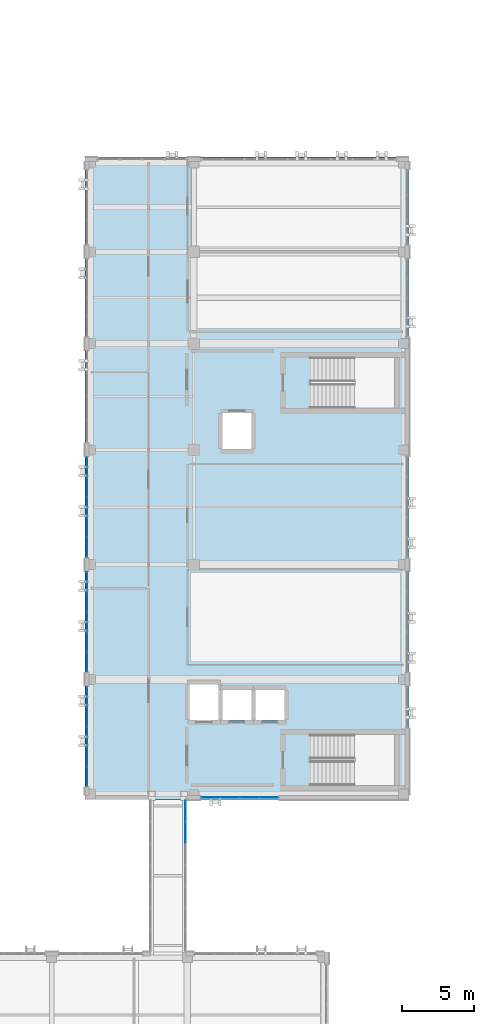
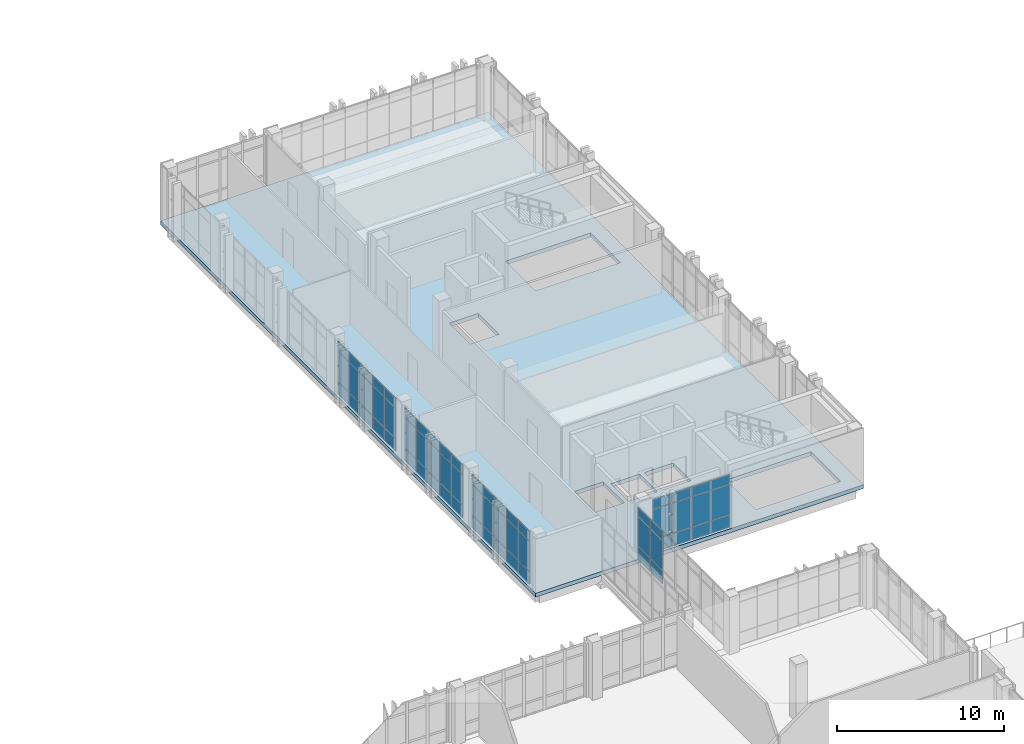
# One storey, part 121 of 165: 63 plates, 1 slab, 5 elements without a shape of their own.
"""IFC4 building model written with IfcOpenShell, lengths in metres."""

import ifcopenshell
import ifcopenshell.guid

model = None  # the IFC model being written
_history = None  # IfcOwnerHistory: only IFC2X3 demands one
_inside = {}  # id of a spatial element -> (the spatial element, [elements in it])
_under = {}  # id of a project, library or spatial element -> (it, [spatial elements below it])
_declared = {}  # id of a project -> (the project, [libraries it declares])
_typed = {}  # id of a type object -> (the type object, [elements of that type])
_made_of = {}  # id of a material, layer set ... -> (it, [elements and type objects made of it])


def new_model(schema):
    """Start an empty IFC model of exactly this schema.

    Asked for "IFC4X3", IfcOpenShell would pick the latest addendum, in which some entities
    have other attributes; the version numbers below select the first issue.
    IFC2X3 requires an IfcOwnerHistory on every rooted entity: one is made here for all.
    """
    global model, _history
    if schema == "IFC4X3":
        model = ifcopenshell.file(schema_version=(4, 3, 0, 0))
    else:
        model = ifcopenshell.file(schema=schema)
    _inside.clear()
    _under.clear()
    _declared.clear()
    _typed.clear()
    _made_of.clear()
    _history = None
    if model.schema == "IFC2X3":
        org = make("IfcOrganization", Name="unknown")
        user = make(
            "IfcPersonAndOrganization",
            ThePerson=make("IfcPerson", FamilyName="unknown"),
            TheOrganization=org,
        )
        app = make(
            "IfcApplication",
            ApplicationDeveloper=org,
            Version="unknown",
            ApplicationFullName="unknown",
            ApplicationIdentifier="unknown",
        )
        _history = make(
            "IfcOwnerHistory",
            OwningUser=user,
            OwningApplication=app,
            ChangeAction="ADDED",
            CreationDate=0,
        )
    return model


def make(cls, **values):
    """One entity of the class cls with the attributes given. An attribute that is None is left unset."""
    return model.create_entity(
        cls, **{name: value for name, value in values.items() if value is not None}
    )


def rooted(cls, **values):
    """An entity with a GlobalId (a new one), such as an element, a storey or a relation."""
    return make(cls, GlobalId=ifcopenshell.guid.new(), OwnerHistory=_history, **values)


def si_unit(unit_type, name, prefix=None):
    """IfcSIUnit, for example si_unit("LENGTHUNIT", "METRE", prefix="MILLI")."""
    return make("IfcSIUnit", UnitType=unit_type, Prefix=prefix, Name=name)


def assignment(units):
    """IfcUnitAssignment: the units of a project."""
    return None if units is None else make("IfcUnitAssignment", Units=units)


def point(xyz):
    """IfcCartesianPoint."""
    return None if xyz is None else make("IfcCartesianPoint", Coordinates=xyz)


def direction(xyz):
    """IfcDirection."""
    return None if xyz is None else make("IfcDirection", DirectionRatios=xyz)


def frame(location, z_axis=None, x_axis=None):
    """IfcAxis2Placement3D, a coordinate frame: its origin and axes. An axis left out is left unset."""
    return make(
        "IfcAxis2Placement3D",
        Location=point(location),
        Axis=direction(z_axis),
        RefDirection=direction(x_axis),
    )


def frame_2d(location, x_axis=None):
    """IfcAxis2Placement2D, a coordinate frame in the plane: its origin and x axis."""
    return make(
        "IfcAxis2Placement2D", Location=point(location), RefDirection=direction(x_axis)
    )


def origin():
    """The frame at (0, 0, 0) with its axes left unset."""
    return frame((0.0, 0.0, 0.0))


def origin_2d():
    """The frame at (0, 0) in the plane with its x axis left unset."""
    return frame_2d((0.0, 0.0))


def place(relative_to, where):
    """IfcLocalPlacement: puts the frame where relative to a parent placement (None: the world)."""
    return make(
        "IfcLocalPlacement", PlacementRelTo=relative_to, RelativePlacement=where
    )


def context(
    kind, dimensions, precision=None, world=None, true_north=None, identifier=None
):
    """IfcGeometricRepresentationContext, for example the 3D "Model" context."""
    return make(
        "IfcGeometricRepresentationContext",
        ContextIdentifier=identifier,
        ContextType=kind,
        CoordinateSpaceDimension=dimensions,
        Precision=precision,
        WorldCoordinateSystem=world,
        TrueNorth=true_north,
    )


def subcontext(parent, identifier, kind, view, scale=None):
    """IfcGeometricRepresentationSubContext, for example "Body" below "Model"."""
    return make(
        "IfcGeometricRepresentationSubContext",
        ContextIdentifier=identifier,
        ContextType=kind,
        ParentContext=parent,
        TargetScale=scale,
        TargetView=view,
    )


def project(units=None, contexts=None):
    """IfcProject with its units and contexts."""
    return rooted(
        "IfcProject",
        Name="project",
        RepresentationContexts=contexts,
        UnitsInContext=assignment(units),
    )


def spatial(cls, under=None, at=None, **own):
    """A site, building, storey or space (cls), placed at a placement, below another one or the project."""
    s = rooted(cls, ObjectPlacement=at, **own)
    if under is not None:
        _under.setdefault(under.id(), (under, []))[1].append(s)
    return s


def polyline(points):
    """IfcPolyline through the points."""
    return make("IfcPolyline", Points=[point(p) for p in points])


def profile(cls, at=None, kind="AREA", **sizes):
    """A parametric profile (cls). Its sizes go by their IFC names, for example OverallWidth=200.0."""
    return make(cls, ProfileType=kind, Position=at, **sizes)


def rectangle(**sizes):
    """IfcRectangleProfileDef."""
    return profile("IfcRectangleProfileDef", **sizes)


def outline(outer, holes=None, kind="AREA"):
    """IfcArbitraryClosedProfileDef: a profile drawn as a closed curve; with holes, ...WithVoids."""
    if holes is None:
        return make("IfcArbitraryClosedProfileDef", ProfileType=kind, OuterCurve=outer)
    return make(
        "IfcArbitraryProfileDefWithVoids",
        ProfileType=kind,
        OuterCurve=outer,
        InnerCurves=holes,
    )


def extrude(swept, where, along, depth):
    """IfcExtrudedAreaSolid: the profile swept, set in the frame where, extruded along a direction by depth."""
    return make(
        "IfcExtrudedAreaSolid",
        SweptArea=swept,
        Position=where,
        ExtrudedDirection=direction(along),
        Depth=depth,
    )


def shape(context_of_items, identifier, shape_type, items):
    """IfcShapeRepresentation: the items that make up one representation, for example the "Body"."""
    return make(
        "IfcShapeRepresentation",
        ContextOfItems=context_of_items,
        RepresentationIdentifier=identifier,
        RepresentationType=shape_type,
        Items=items,
    )


def material(Name=None, Category=None):
    """IfcMaterial."""
    return make("IfcMaterial", Name=Name, Category=Category)


def layer(
    of_material, thickness, ventilated=None, Name=None, Category=None, Priority=None
):
    """IfcMaterialLayer: one layer of a wall or slab, of a material (None: an air gap)."""
    return make(
        "IfcMaterialLayer",
        Material=of_material,
        LayerThickness=thickness,
        IsVentilated=ventilated,
        Name=Name,
        Category=Category,
        Priority=Priority,
    )


def layer_set(layers, Name=None):
    """IfcMaterialLayerSet."""
    return make("IfcMaterialLayerSet", MaterialLayers=layers, LayerSetName=Name)


def made_of(thing, what):
    """Note that an element or type object is made of a material, layer set ...; save() writes the relation."""
    if what is not None:
        _made_of.setdefault(what.id(), (what, []))[1].append(thing)
    return thing


def type_object(cls, material=None, **own):
    """A type object (cls), such as IfcWallType, which elements share."""
    return made_of(rooted(cls, **own), material)


def element(
    cls,
    number,
    at=None,
    inside=None,
    cuts=None,
    type_object=None,
    material=None,
    context=None,
    identifier="Body",
    shape_type=None,
    held_by="IfcProductDefinitionShape",
    body=None,
    shapes=None,
    **own,
):
    """One element of the class cls, such as IfcWall. Its Tag is "e" and its number.

    at: its placement. inside: the storey or other place that contains it. cuts: it is an
    opening in that element (IfcRelVoidsElement). A single representation is given by context,
    identifier, shape_type and body (its items); several are given by shapes. held_by: the class
    of the entity that holds the representations. save() writes the other relations.
    """
    e = rooted(cls, Tag="e%d" % number, ObjectPlacement=at, **own)
    if body is not None:
        shapes = [shape(context, identifier, shape_type, body)]
    if shapes is not None:
        e.Representation = make(held_by, Representations=shapes)
    if inside is not None:
        _inside.setdefault(inside.id(), (inside, []))[1].append(e)
    if cuts is not None:
        rooted(
            "IfcRelVoidsElement", RelatingBuildingElement=cuts, RelatedOpeningElement=e
        )
    if type_object is not None:
        _typed.setdefault(type_object.id(), (type_object, []))[1].append(e)
    return made_of(e, material)


def aggregate(whole, parts):
    """IfcRelAggregates: a whole, such as a stair, and the parts it consists of."""
    return rooted("IfcRelAggregates", RelatingObject=whole, RelatedObjects=parts)


def save(model, path):
    """Write the relations noted so far, then the file.

    IfcRelAggregates (storeys below a building ...), IfcRelContainedInSpatialStructure (elements
    in a storey), IfcRelDefinesByType, IfcRelAssociatesMaterial and IfcRelDeclares: one each for
    every whole, place, type object, material and project.
    """
    for whole, parts in _under.values():
        aggregate(whole, parts)
    for where, things in _inside.values():
        rooted(
            "IfcRelContainedInSpatialStructure",
            RelatedElements=things,
            RelatingStructure=where,
        )
    for kind, things in _typed.values():
        rooted("IfcRelDefinesByType", RelatedObjects=things, RelatingType=kind)
    for what, things in _made_of.values():
        rooted("IfcRelAssociatesMaterial", RelatedObjects=things, RelatingMaterial=what)
    for by, libraries in _declared.values():
        rooted("IfcRelDeclares", RelatingContext=by, RelatedDefinitions=libraries)
    model.write(path)


model = new_model("IFC4")

# Units and contexts
model_context = context("Model", 3, precision=1e-05, world=origin(), true_north=direction((0.0, 1.0)))
body_context = subcontext(model_context, "Body", "Model", "MODEL_VIEW")
ifc_project = project(units=[si_unit("LENGTHUNIT", "METRE"), si_unit("AREAUNIT", "SQUARE_METRE"), si_unit("VOLUMEUNIT", "CUBIC_METRE"), si_unit("PLANEANGLEUNIT", "RADIAN"), si_unit("MASSUNIT", "GRAM", prefix="KILO")], contexts=[model_context])

# Site, building, storey
site_placement = place(None, origin())
site = spatial("IfcSite", under=ifc_project, at=site_placement, CompositionType="ELEMENT")
building_placement = place(site_placement, origin())
building = spatial("IfcBuilding", under=site, at=building_placement, Name="Qalavern Law Courts", CompositionType="ELEMENT")
storey_placement = place(building_placement, frame((0.0, 0.0, 14.39990234375)))
storey = spatial("IfcBuildingStorey", under=building, at=storey_placement, Name="L03", CompositionType="ELEMENT", Elevation=14.39990234375)

# Curtain wall, plates
ifc_material_1 = material(Name="Anodised aluminium and insulated glazing", Category="aluminium")
ifc_layer_1 = layer(ifc_material_1, 0.172119140625)
ifc_layer_set_1 = layer_set([ifc_layer_1], Name="Anodised aluminium and insulated glazing")
curtain_wall_type_1 = type_object("IfcCurtainWallType", Name="ENV-CW-COURT", PredefinedType="USERDEFINED", material=ifc_layer_set_1)
curtain_wall_1_placement = place(storey_placement, origin())
curtain_wall_1 = element("IfcCurtainWall", 1, at=curtain_wall_1_placement, inside=storey, type_object=curtain_wall_type_1, Name="V4 unitised curtain wall L03 south 1", ObjectType="UNITISED CURTAIN WALL", PredefinedType="USERDEFINED")
ifc_material_2 = material(Name="Insulated low-E acoustic glazing", Category="glass")
ifc_layer_2 = layer(ifc_material_2, 0.02392578125)
ifc_layer_set_2 = layer_set([ifc_layer_2], Name="Insulated low-E acoustic glazing")
plate_type_1 = type_object("IfcPlateType", Name="ENV-CWP-24", PredefinedType="CURTAIN_PANEL", material=ifc_layer_set_2)
plate_1_placement = place(storey_placement, frame((92.987060546875, 41.16748046875, 0.048095703125), z_axis=(0.0, 0.0, 1.0), x_axis=(1.0, 0.0, 0.0)))
plate_1 = element("IfcPlate", 2, at=plate_1_placement, type_object=plate_type_1, Name="CW-03 panel 1.1", PredefinedType="CURTAIN_PANEL", context=body_context, shape_type="SweptSolid", body=[
    extrude(rectangle(XDim=1.278076171875, YDim=0.02392578125, at=origin_2d()), origin(), (0.0, 0.0, 1.0), 0.8779296875),
])
plate_2_placement = place(storey_placement, frame((92.987060546875, 41.16748046875, 0.97412109375), z_axis=(0.0, 0.0, 1.0), x_axis=(1.0, 0.0, 0.0)))
plate_2 = element("IfcPlate", 3, at=plate_2_placement, type_object=plate_type_1, Name="CW-03 panel 1.2", PredefinedType="CURTAIN_PANEL", context=body_context, shape_type="SweptSolid", body=[
    extrude(rectangle(XDim=1.278076171875, YDim=0.02392578125, at=origin_2d()), origin(), (0.0, 0.0, 1.0), 2.172119140625),
])
plate_3_placement = place(storey_placement, frame((92.987060546875, 41.16748046875, 3.1943359375), z_axis=(0.0, 0.0, 1.0), x_axis=(1.0, 0.0, 0.0)))
plate_3 = element("IfcPlate", 4, at=plate_3_placement, type_object=plate_type_1, Name="CW-03 panel 1.3", PredefinedType="CURTAIN_PANEL", context=body_context, shape_type="SweptSolid", body=[
    extrude(rectangle(XDim=1.278076171875, YDim=0.02392578125, at=origin_2d()), origin(), (0.0, 0.0, 1.0), 0.677978515625),
])
plate_4_placement = place(storey_placement, frame((94.324951171875, 41.16748046875, 0.048095703125), z_axis=(0.0, 0.0, 1.0), x_axis=(1.0, 0.0, 0.0)))
plate_4 = element("IfcPlate", 5, at=plate_4_placement, type_object=plate_type_1, Name="CW-03 panel 2.1", PredefinedType="CURTAIN_PANEL", context=body_context, shape_type="SweptSolid", body=[
    extrude(rectangle(XDim=1.302001953125, YDim=0.02392578125, at=origin_2d()), origin(), (0.0, 0.0, 1.0), 0.8779296875),
])
plate_5_placement = place(storey_placement, frame((94.324951171875, 41.16748046875, 0.97412109375), z_axis=(0.0, 0.0, 1.0), x_axis=(1.0, 0.0, 0.0)))
plate_5 = element("IfcPlate", 6, at=plate_5_placement, type_object=plate_type_1, Name="CW-03 panel 2.2", PredefinedType="CURTAIN_PANEL", context=body_context, shape_type="SweptSolid", body=[
    extrude(rectangle(XDim=1.302001953125, YDim=0.02392578125, at=origin_2d()), origin(), (0.0, 0.0, 1.0), 2.172119140625),
])
plate_6_placement = place(storey_placement, frame((94.324951171875, 41.16748046875, 3.1943359375), z_axis=(0.0, 0.0, 1.0), x_axis=(1.0, 0.0, 0.0)))
plate_6 = element("IfcPlate", 7, at=plate_6_placement, type_object=plate_type_1, Name="CW-03 panel 2.3", PredefinedType="CURTAIN_PANEL", context=body_context, shape_type="SweptSolid", body=[
    extrude(rectangle(XDim=1.302001953125, YDim=0.02392578125, at=origin_2d()), origin(), (0.0, 0.0, 1.0), 0.677978515625),
])
plate_7_placement = place(storey_placement, frame((95.675048828125, 41.16748046875, 0.048095703125), z_axis=(0.0, 0.0, 1.0), x_axis=(1.0, 0.0, 0.0)))
plate_7 = element("IfcPlate", 8, at=plate_7_placement, type_object=plate_type_1, Name="CW-03 panel 3.1", PredefinedType="CURTAIN_PANEL", context=body_context, shape_type="SweptSolid", body=[
    extrude(rectangle(XDim=1.302001953125, YDim=0.02392578125, at=origin_2d()), origin(), (0.0, 0.0, 1.0), 0.8779296875),
])
plate_8_placement = place(storey_placement, frame((95.675048828125, 41.16748046875, 0.97412109375), z_axis=(0.0, 0.0, 1.0), x_axis=(1.0, 0.0, 0.0)))
plate_8 = element("IfcPlate", 9, at=plate_8_placement, type_object=plate_type_1, Name="CW-03 panel 3.2", PredefinedType="CURTAIN_PANEL", context=body_context, shape_type="SweptSolid", body=[
    extrude(rectangle(XDim=1.302001953125, YDim=0.02392578125, at=origin_2d()), origin(), (0.0, 0.0, 1.0), 2.172119140625),
])
plate_9_placement = place(storey_placement, frame((95.675048828125, 41.16748046875, 3.1943359375), z_axis=(0.0, 0.0, 1.0), x_axis=(1.0, 0.0, 0.0)))
plate_9 = element("IfcPlate", 10, at=plate_9_placement, type_object=plate_type_1, Name="CW-03 panel 3.3", PredefinedType="CURTAIN_PANEL", context=body_context, shape_type="SweptSolid", body=[
    extrude(rectangle(XDim=1.302001953125, YDim=0.02392578125, at=origin_2d()), origin(), (0.0, 0.0, 1.0), 0.677978515625),
])
plate_10_placement = place(storey_placement, frame((97.012939453125, 41.16748046875, 0.048095703125), z_axis=(0.0, 0.0, 1.0), x_axis=(1.0, 0.0, 0.0)))
plate_10 = element("IfcPlate", 11, at=plate_10_placement, type_object=plate_type_1, Name="CW-03 panel 4.1", PredefinedType="CURTAIN_PANEL", context=body_context, shape_type="SweptSolid", body=[
    extrude(rectangle(XDim=1.278076171875, YDim=0.02392578125, at=origin_2d()), origin(), (0.0, 0.0, 1.0), 0.8779296875),
])
plate_11_placement = place(storey_placement, frame((97.012939453125, 41.16748046875, 0.97412109375), z_axis=(0.0, 0.0, 1.0), x_axis=(1.0, 0.0, 0.0)))
plate_11 = element("IfcPlate", 12, at=plate_11_placement, type_object=plate_type_1, Name="CW-03 panel 4.2", PredefinedType="CURTAIN_PANEL", context=body_context, shape_type="SweptSolid", body=[
    extrude(rectangle(XDim=1.278076171875, YDim=0.02392578125, at=origin_2d()), origin(), (0.0, 0.0, 1.0), 2.172119140625),
])
plate_12_placement = place(storey_placement, frame((97.012939453125, 41.16748046875, 3.1943359375), z_axis=(0.0, 0.0, 1.0), x_axis=(1.0, 0.0, 0.0)))
plate_12 = element("IfcPlate", 13, at=plate_12_placement, type_object=plate_type_1, Name="CW-03 panel 4.3", PredefinedType="CURTAIN_PANEL", context=body_context, shape_type="SweptSolid", body=[
    extrude(rectangle(XDim=1.278076171875, YDim=0.02392578125, at=origin_2d()), origin(), (0.0, 0.0, 1.0), 0.677978515625),
])
aggregate(curtain_wall_1, [plate_1, plate_2, plate_3, plate_4, plate_5, plate_6, plate_7, plate_8, plate_9, plate_10, plate_11, plate_12])

curtain_wall_2_placement = place(storey_placement, origin())
curtain_wall_2 = element("IfcCurtainWall", 14, at=curtain_wall_2_placement, inside=storey, type_object=curtain_wall_type_1, Name="V4 unitised curtain wall L03 west 4", ObjectType="UNITISED CURTAIN WALL", PredefinedType="USERDEFINED")
ifc_layer_3 = layer(ifc_material_2, 0.031982421875)
ifc_layer_set_3 = layer_set([ifc_layer_3], Name="Insulated low-E acoustic glazing")
plate_type_2 = type_object("IfcPlateType", Name="ENV-CWP-32", PredefinedType="CURTAIN_PANEL", material=ifc_layer_set_3)
plate_13_placement = place(storey_placement, frame((84.347412109375, 64.18798828125, 0.048095703125), z_axis=(0.0, 0.0, 1.0), x_axis=(0.0, -1.0, 0.0)))
plate_13 = element("IfcPlate", 15, at=plate_13_placement, type_object=plate_type_2, Name="CW-03 panel 1.1", PredefinedType="CURTAIN_PANEL", context=body_context, shape_type="SweptSolid", body=[
    extrude(rectangle(XDim=1.327880859375, YDim=0.031982421875, at=origin_2d()), origin(), (0.0, 0.0, 1.0), 0.8779296875),
])
plate_14_placement = place(storey_placement, frame((84.347412109375, 64.18798828125, 0.97412109375), z_axis=(0.0, 0.0, 1.0), x_axis=(0.0, -1.0, 0.0)))
plate_14 = element("IfcPlate", 16, at=plate_14_placement, type_object=plate_type_2, Name="CW-03 panel 1.2", PredefinedType="CURTAIN_PANEL", context=body_context, shape_type="SweptSolid", body=[
    extrude(rectangle(XDim=1.327880859375, YDim=0.031982421875, at=origin_2d()), origin(), (0.0, 0.0, 1.0), 2.172119140625),
])
plate_15_placement = place(storey_placement, frame((84.347412109375, 64.18798828125, 3.1943359375), z_axis=(0.0, 0.0, 1.0), x_axis=(0.0, -1.0, 0.0)))
plate_15 = element("IfcPlate", 17, at=plate_15_placement, type_object=plate_type_2, Name="CW-03 panel 1.3", PredefinedType="CURTAIN_PANEL", context=body_context, shape_type="SweptSolid", body=[
    extrude(rectangle(XDim=1.327880859375, YDim=0.031982421875, at=origin_2d()), origin(), (0.0, 0.0, 1.0), 0.677978515625),
])
plate_16_placement = place(storey_placement, frame((84.347412109375, 62.800048828125, 0.048095703125), z_axis=(0.0, 0.0, 1.0), x_axis=(0.0, -1.0, 0.0)))
plate_16 = element("IfcPlate", 18, at=plate_16_placement, type_object=plate_type_2, Name="CW-03 panel 2.1", PredefinedType="CURTAIN_PANEL", context=body_context, shape_type="SweptSolid", body=[
    extrude(rectangle(XDim=1.35205078125, YDim=0.031982421875, at=origin_2d()), origin(), (0.0, 0.0, 1.0), 0.8779296875),
])
plate_17_placement = place(storey_placement, frame((84.347412109375, 62.800048828125, 0.97412109375), z_axis=(0.0, 0.0, 1.0), x_axis=(0.0, -1.0, 0.0)))
plate_17 = element("IfcPlate", 19, at=plate_17_placement, type_object=plate_type_2, Name="CW-03 panel 2.2", PredefinedType="CURTAIN_PANEL", context=body_context, shape_type="SweptSolid", body=[
    extrude(rectangle(XDim=1.35205078125, YDim=0.031982421875, at=origin_2d()), origin(), (0.0, 0.0, 1.0), 2.172119140625),
])
plate_18_placement = place(storey_placement, frame((84.347412109375, 62.800048828125, 3.1943359375), z_axis=(0.0, 0.0, 1.0), x_axis=(0.0, -1.0, 0.0)))
plate_18 = element("IfcPlate", 20, at=plate_18_placement, type_object=plate_type_2, Name="CW-03 panel 2.3", PredefinedType="CURTAIN_PANEL", context=body_context, shape_type="SweptSolid", body=[
    extrude(rectangle(XDim=1.35205078125, YDim=0.031982421875, at=origin_2d()), origin(), (0.0, 0.0, 1.0), 0.677978515625),
])
plate_19_placement = place(storey_placement, frame((84.347412109375, 61.39990234375, 0.048095703125), z_axis=(0.0, 0.0, 1.0), x_axis=(0.0, -1.0, 0.0)))
plate_19 = element("IfcPlate", 21, at=plate_19_placement, type_object=plate_type_2, Name="CW-03 panel 3.1", PredefinedType="CURTAIN_PANEL", context=body_context, shape_type="SweptSolid", body=[
    extrude(rectangle(XDim=1.35205078125, YDim=0.031982421875, at=origin_2d()), origin(), (0.0, 0.0, 1.0), 0.8779296875),
])
plate_20_placement = place(storey_placement, frame((84.347412109375, 61.39990234375, 0.97412109375), z_axis=(0.0, 0.0, 1.0), x_axis=(0.0, -1.0, 0.0)))
plate_20 = element("IfcPlate", 22, at=plate_20_placement, type_object=plate_type_2, Name="CW-03 panel 3.2", PredefinedType="CURTAIN_PANEL", context=body_context, shape_type="SweptSolid", body=[
    extrude(rectangle(XDim=1.35205078125, YDim=0.031982421875, at=origin_2d()), origin(), (0.0, 0.0, 1.0), 2.172119140625),
])
plate_21_placement = place(storey_placement, frame((84.347412109375, 61.39990234375, 3.1943359375), z_axis=(0.0, 0.0, 1.0), x_axis=(0.0, -1.0, 0.0)))
plate_21 = element("IfcPlate", 23, at=plate_21_placement, type_object=plate_type_2, Name="CW-03 panel 3.3", PredefinedType="CURTAIN_PANEL", context=body_context, shape_type="SweptSolid", body=[
    extrude(rectangle(XDim=1.35205078125, YDim=0.031982421875, at=origin_2d()), origin(), (0.0, 0.0, 1.0), 0.677978515625),
])
plate_22_placement = place(storey_placement, frame((84.347412109375, 60.0, 0.048095703125), z_axis=(0.0, 0.0, 1.0), x_axis=(0.0, -1.0, 0.0)))
plate_22 = element("IfcPlate", 24, at=plate_22_placement, type_object=plate_type_2, Name="CW-03 panel 4.1", PredefinedType="CURTAIN_PANEL", context=body_context, shape_type="SweptSolid", body=[
    extrude(rectangle(XDim=1.35205078125, YDim=0.031982421875, at=origin_2d()), origin(), (0.0, 0.0, 1.0), 0.8779296875),
])
plate_23_placement = place(storey_placement, frame((84.347412109375, 60.0, 0.97412109375), z_axis=(0.0, 0.0, 1.0), x_axis=(0.0, -1.0, 0.0)))
plate_23 = element("IfcPlate", 25, at=plate_23_placement, type_object=plate_type_2, Name="CW-03 panel 4.2", PredefinedType="CURTAIN_PANEL", context=body_context, shape_type="SweptSolid", body=[
    extrude(rectangle(XDim=1.35205078125, YDim=0.031982421875, at=origin_2d()), origin(), (0.0, 0.0, 1.0), 2.172119140625),
])
plate_24_placement = place(storey_placement, frame((84.347412109375, 60.0, 3.1943359375), z_axis=(0.0, 0.0, 1.0), x_axis=(0.0, -1.0, 0.0)))
plate_24 = element("IfcPlate", 26, at=plate_24_placement, type_object=plate_type_2, Name="CW-03 panel 4.3", PredefinedType="CURTAIN_PANEL", context=body_context, shape_type="SweptSolid", body=[
    extrude(rectangle(XDim=1.35205078125, YDim=0.031982421875, at=origin_2d()), origin(), (0.0, 0.0, 1.0), 0.677978515625),
])
plate_25_placement = place(storey_placement, frame((84.347412109375, 58.612060546875, 0.048095703125), z_axis=(0.0, 0.0, 1.0), x_axis=(0.0, -1.0, 0.0)))
plate_25 = element("IfcPlate", 27, at=plate_25_placement, type_object=plate_type_2, Name="CW-03 panel 5.1", PredefinedType="CURTAIN_PANEL", context=body_context, shape_type="SweptSolid", body=[
    extrude(rectangle(XDim=1.327880859375, YDim=0.031982421875, at=origin_2d()), origin(), (0.0, 0.0, 1.0), 0.8779296875),
])
plate_26_placement = place(storey_placement, frame((84.347412109375, 58.612060546875, 0.97412109375), z_axis=(0.0, 0.0, 1.0), x_axis=(0.0, -1.0, 0.0)))
plate_26 = element("IfcPlate", 28, at=plate_26_placement, type_object=plate_type_2, Name="CW-03 panel 5.2", PredefinedType="CURTAIN_PANEL", context=body_context, shape_type="SweptSolid", body=[
    extrude(rectangle(XDim=1.327880859375, YDim=0.031982421875, at=origin_2d()), origin(), (0.0, 0.0, 1.0), 2.172119140625),
])
plate_27_placement = place(storey_placement, frame((84.347412109375, 58.612060546875, 3.1943359375), z_axis=(0.0, 0.0, 1.0), x_axis=(0.0, -1.0, 0.0)))
plate_27 = element("IfcPlate", 29, at=plate_27_placement, type_object=plate_type_2, Name="CW-03 panel 5.3", PredefinedType="CURTAIN_PANEL", context=body_context, shape_type="SweptSolid", body=[
    extrude(rectangle(XDim=1.327880859375, YDim=0.031982421875, at=origin_2d()), origin(), (0.0, 0.0, 1.0), 0.677978515625),
])
aggregate(curtain_wall_2, [plate_13, plate_14, plate_15, plate_16, plate_17, plate_18, plate_19, plate_20, plate_21, plate_22, plate_23, plate_24, plate_25, plate_26, plate_27])

ifc_layer_4 = layer(ifc_material_1, 0.14990234375)
ifc_layer_set_4 = layer_set([ifc_layer_4], Name="Anodised aluminium and insulated glazing")
curtain_wall_type_2 = type_object("IfcCurtainWallType", Name="ENV-CW-BRG", PredefinedType="USERDEFINED", material=ifc_layer_set_4)
curtain_wall_3_placement = place(storey_placement, origin())
curtain_wall_3 = element("IfcCurtainWall", 30, at=curtain_wall_3_placement, inside=storey, type_object=curtain_wall_type_2, Name="Bridge BR-V2-V4 glazed curtain wall L03-2", ObjectType="UNITISED CURTAIN WALL", PredefinedType="USERDEFINED")
plate_28_placement = place(storey_placement, frame((91.22509765625, 38.73291015625, 0.048095703125), z_axis=(0.0, 0.0, 1.0), x_axis=(0.0, 1.0, 0.0)))
plate_28 = element("IfcPlate", 31, at=plate_28_placement, type_object=plate_type_2, Name="CW-06 panel 6.1", PredefinedType="CURTAIN_PANEL", context=body_context, shape_type="SweptSolid", body=[
    extrude(rectangle(XDim=1.46337890625, YDim=0.031982421875, at=origin_2d()), origin(), (0.0, 0.0, 1.0), 0.97802734375),
])
plate_29_placement = place(storey_placement, frame((91.22509765625, 38.73291015625, 1.073974609375), z_axis=(0.0, 0.0, 1.0), x_axis=(0.0, 1.0, 0.0)))
plate_29 = element("IfcPlate", 32, at=plate_29_placement, type_object=plate_type_2, Name="CW-06 panel 6.2", PredefinedType="CURTAIN_PANEL", context=body_context, shape_type="SweptSolid", body=[
    extrude(rectangle(XDim=1.46337890625, YDim=0.031982421875, at=origin_2d()), origin(), (0.0, 0.0, 1.0), 2.1220703125),
])
plate_30_placement = place(storey_placement, frame((91.22509765625, 38.73291015625, 3.244140625), z_axis=(0.0, 0.0, 1.0), x_axis=(0.0, 1.0, 0.0)))
plate_30 = element("IfcPlate", 33, at=plate_30_placement, type_object=plate_type_2, Name="CW-06 panel 6.3", PredefinedType="CURTAIN_PANEL", context=body_context, shape_type="SweptSolid", body=[
    extrude(rectangle(XDim=1.46337890625, YDim=0.031982421875, at=origin_2d()), origin(), (0.0, 0.0, 1.0), 0.6279296875),
])
plate_31_placement = place(storey_placement, frame((91.22509765625, 40.232177734375, 0.048095703125), z_axis=(0.0, 0.0, 1.0), x_axis=(0.0, 1.0, 0.0)))
plate_31 = element("IfcPlate", 34, at=plate_31_placement, type_object=plate_type_2, Name="CW-06 panel 7.1", PredefinedType="CURTAIN_PANEL", context=body_context, shape_type="SweptSolid", body=[
    extrude(rectangle(XDim=1.439453125, YDim=0.031982421875, at=origin_2d()), origin(), (0.0, 0.0, 1.0), 0.97802734375),
])
plate_32_placement = place(storey_placement, frame((91.22509765625, 40.232177734375, 1.073974609375), z_axis=(0.0, 0.0, 1.0), x_axis=(0.0, 1.0, 0.0)))
plate_32 = element("IfcPlate", 35, at=plate_32_placement, type_object=plate_type_2, Name="CW-06 panel 7.2", PredefinedType="CURTAIN_PANEL", context=body_context, shape_type="SweptSolid", body=[
    extrude(rectangle(XDim=1.439453125, YDim=0.031982421875, at=origin_2d()), origin(), (0.0, 0.0, 1.0), 2.1220703125),
])
plate_33_placement = place(storey_placement, frame((91.22509765625, 40.232177734375, 3.244140625), z_axis=(0.0, 0.0, 1.0), x_axis=(0.0, 1.0, 0.0)))
plate_33 = element("IfcPlate", 36, at=plate_33_placement, type_object=plate_type_2, Name="CW-06 panel 7.3", PredefinedType="CURTAIN_PANEL", context=body_context, shape_type="SweptSolid", body=[
    extrude(rectangle(XDim=1.439453125, YDim=0.031982421875, at=origin_2d()), origin(), (0.0, 0.0, 1.0), 0.6279296875),
])
aggregate(curtain_wall_3, [plate_28, plate_29, plate_30, plate_31, plate_32, plate_33])

curtain_wall_4_placement = place(storey_placement, origin())
curtain_wall_4 = element("IfcCurtainWall", 37, at=curtain_wall_4_placement, inside=storey, type_object=curtain_wall_type_1, Name="V4 unitised curtain wall L03 west 5", ObjectType="UNITISED CURTAIN WALL", PredefinedType="USERDEFINED")
ifc_layer_5 = layer(ifc_material_2, 0.035888671875)
ifc_layer_set_5 = layer_set([ifc_layer_5], Name="Insulated low-E acoustic glazing")
plate_type_3 = type_object("IfcPlateType", Name="ENV-CWP-36", PredefinedType="CURTAIN_PANEL", material=ifc_layer_set_5)
plate_34_placement = place(storey_placement, frame((84.347412109375, 56.18798828125, 0.048095703125), z_axis=(0.0, 0.0, 1.0), x_axis=(0.0, -1.0, 0.0)))
plate_34 = element("IfcPlate", 38, at=plate_34_placement, type_object=plate_type_3, Name="CW-03 panel 1.1", PredefinedType="CURTAIN_PANEL", context=body_context, shape_type="SweptSolid", body=[
    extrude(rectangle(XDim=1.327880859375, YDim=0.035888671875, at=origin_2d()), origin(), (0.0, 0.0, 1.0), 0.8779296875),
])
plate_35_placement = place(storey_placement, frame((84.347412109375, 56.18798828125, 0.97412109375), z_axis=(0.0, 0.0, 1.0), x_axis=(0.0, -1.0, 0.0)))
plate_35 = element("IfcPlate", 39, at=plate_35_placement, type_object=plate_type_3, Name="CW-03 panel 1.2", PredefinedType="CURTAIN_PANEL", context=body_context, shape_type="SweptSolid", body=[
    extrude(rectangle(XDim=1.327880859375, YDim=0.035888671875, at=origin_2d()), origin(), (0.0, 0.0, 1.0), 2.172119140625),
])
plate_36_placement = place(storey_placement, frame((84.347412109375, 56.18798828125, 3.1943359375), z_axis=(0.0, 0.0, 1.0), x_axis=(0.0, -1.0, 0.0)))
plate_36 = element("IfcPlate", 40, at=plate_36_placement, type_object=plate_type_3, Name="CW-03 panel 1.3", PredefinedType="CURTAIN_PANEL", context=body_context, shape_type="SweptSolid", body=[
    extrude(rectangle(XDim=1.327880859375, YDim=0.035888671875, at=origin_2d()), origin(), (0.0, 0.0, 1.0), 0.677978515625),
])
plate_37_placement = place(storey_placement, frame((84.347412109375, 54.800048828125, 0.048095703125), z_axis=(0.0, 0.0, 1.0), x_axis=(0.0, -1.0, 0.0)))
plate_37 = element("IfcPlate", 41, at=plate_37_placement, type_object=plate_type_3, Name="CW-03 panel 2.1", PredefinedType="CURTAIN_PANEL", context=body_context, shape_type="SweptSolid", body=[
    extrude(rectangle(XDim=1.35205078125, YDim=0.035888671875, at=origin_2d()), origin(), (0.0, 0.0, 1.0), 0.8779296875),
])
plate_38_placement = place(storey_placement, frame((84.347412109375, 54.800048828125, 0.97412109375), z_axis=(0.0, 0.0, 1.0), x_axis=(0.0, -1.0, 0.0)))
plate_38 = element("IfcPlate", 42, at=plate_38_placement, type_object=plate_type_3, Name="CW-03 panel 2.2", PredefinedType="CURTAIN_PANEL", context=body_context, shape_type="SweptSolid", body=[
    extrude(rectangle(XDim=1.35205078125, YDim=0.035888671875, at=origin_2d()), origin(), (0.0, 0.0, 1.0), 2.172119140625),
])
plate_39_placement = place(storey_placement, frame((84.347412109375, 54.800048828125, 3.1943359375), z_axis=(0.0, 0.0, 1.0), x_axis=(0.0, -1.0, 0.0)))
plate_39 = element("IfcPlate", 43, at=plate_39_placement, type_object=plate_type_3, Name="CW-03 panel 2.3", PredefinedType="CURTAIN_PANEL", context=body_context, shape_type="SweptSolid", body=[
    extrude(rectangle(XDim=1.35205078125, YDim=0.035888671875, at=origin_2d()), origin(), (0.0, 0.0, 1.0), 0.677978515625),
])
plate_40_placement = place(storey_placement, frame((84.347412109375, 53.39990234375, 0.048095703125), z_axis=(0.0, 0.0, 1.0), x_axis=(0.0, -1.0, 0.0)))
plate_40 = element("IfcPlate", 44, at=plate_40_placement, type_object=plate_type_3, Name="CW-03 panel 3.1", PredefinedType="CURTAIN_PANEL", context=body_context, shape_type="SweptSolid", body=[
    extrude(rectangle(XDim=1.35205078125, YDim=0.035888671875, at=origin_2d()), origin(), (0.0, 0.0, 1.0), 0.8779296875),
])
plate_41_placement = place(storey_placement, frame((84.347412109375, 53.39990234375, 0.97412109375), z_axis=(0.0, 0.0, 1.0), x_axis=(0.0, -1.0, 0.0)))
plate_41 = element("IfcPlate", 45, at=plate_41_placement, type_object=plate_type_3, Name="CW-03 panel 3.2", PredefinedType="CURTAIN_PANEL", context=body_context, shape_type="SweptSolid", body=[
    extrude(rectangle(XDim=1.35205078125, YDim=0.035888671875, at=origin_2d()), origin(), (0.0, 0.0, 1.0), 2.172119140625),
])
plate_42_placement = place(storey_placement, frame((84.347412109375, 53.39990234375, 3.1943359375), z_axis=(0.0, 0.0, 1.0), x_axis=(0.0, -1.0, 0.0)))
plate_42 = element("IfcPlate", 46, at=plate_42_placement, type_object=plate_type_3, Name="CW-03 panel 3.3", PredefinedType="CURTAIN_PANEL", context=body_context, shape_type="SweptSolid", body=[
    extrude(rectangle(XDim=1.35205078125, YDim=0.035888671875, at=origin_2d()), origin(), (0.0, 0.0, 1.0), 0.677978515625),
])
plate_43_placement = place(storey_placement, frame((84.347412109375, 52.0, 0.048095703125), z_axis=(0.0, 0.0, 1.0), x_axis=(0.0, -1.0, 0.0)))
plate_43 = element("IfcPlate", 47, at=plate_43_placement, type_object=plate_type_3, Name="CW-03 panel 4.1", PredefinedType="CURTAIN_PANEL", context=body_context, shape_type="SweptSolid", body=[
    extrude(rectangle(XDim=1.35205078125, YDim=0.035888671875, at=origin_2d()), origin(), (0.0, 0.0, 1.0), 0.8779296875),
])
plate_44_placement = place(storey_placement, frame((84.347412109375, 52.0, 0.97412109375), z_axis=(0.0, 0.0, 1.0), x_axis=(0.0, -1.0, 0.0)))
plate_44 = element("IfcPlate", 48, at=plate_44_placement, type_object=plate_type_3, Name="CW-03 panel 4.2", PredefinedType="CURTAIN_PANEL", context=body_context, shape_type="SweptSolid", body=[
    extrude(rectangle(XDim=1.35205078125, YDim=0.035888671875, at=origin_2d()), origin(), (0.0, 0.0, 1.0), 2.172119140625),
])
plate_45_placement = place(storey_placement, frame((84.347412109375, 52.0, 3.1943359375), z_axis=(0.0, 0.0, 1.0), x_axis=(0.0, -1.0, 0.0)))
plate_45 = element("IfcPlate", 49, at=plate_45_placement, type_object=plate_type_3, Name="CW-03 panel 4.3", PredefinedType="CURTAIN_PANEL", context=body_context, shape_type="SweptSolid", body=[
    extrude(rectangle(XDim=1.35205078125, YDim=0.035888671875, at=origin_2d()), origin(), (0.0, 0.0, 1.0), 0.677978515625),
])
plate_46_placement = place(storey_placement, frame((84.347412109375, 50.612060546875, 0.048095703125), z_axis=(0.0, 0.0, 1.0), x_axis=(0.0, -1.0, 0.0)))
plate_46 = element("IfcPlate", 50, at=plate_46_placement, type_object=plate_type_3, Name="CW-03 panel 5.1", PredefinedType="CURTAIN_PANEL", context=body_context, shape_type="SweptSolid", body=[
    extrude(rectangle(XDim=1.327880859375, YDim=0.035888671875, at=origin_2d()), origin(), (0.0, 0.0, 1.0), 0.8779296875),
])
plate_47_placement = place(storey_placement, frame((84.347412109375, 50.612060546875, 0.97412109375), z_axis=(0.0, 0.0, 1.0), x_axis=(0.0, -1.0, 0.0)))
plate_47 = element("IfcPlate", 51, at=plate_47_placement, type_object=plate_type_3, Name="CW-03 panel 5.2", PredefinedType="CURTAIN_PANEL", context=body_context, shape_type="SweptSolid", body=[
    extrude(rectangle(XDim=1.327880859375, YDim=0.035888671875, at=origin_2d()), origin(), (0.0, 0.0, 1.0), 2.172119140625),
])
plate_48_placement = place(storey_placement, frame((84.347412109375, 50.612060546875, 3.1943359375), z_axis=(0.0, 0.0, 1.0), x_axis=(0.0, -1.0, 0.0)))
plate_48 = element("IfcPlate", 52, at=plate_48_placement, type_object=plate_type_3, Name="CW-03 panel 5.3", PredefinedType="CURTAIN_PANEL", context=body_context, shape_type="SweptSolid", body=[
    extrude(rectangle(XDim=1.327880859375, YDim=0.035888671875, at=origin_2d()), origin(), (0.0, 0.0, 1.0), 0.677978515625),
])
aggregate(curtain_wall_4, [plate_34, plate_35, plate_36, plate_37, plate_38, plate_39, plate_40, plate_41, plate_42, plate_43, plate_44, plate_45, plate_46, plate_47, plate_48])

curtain_wall_5_placement = place(storey_placement, origin())
curtain_wall_5 = element("IfcCurtainWall", 53, at=curtain_wall_5_placement, inside=storey, type_object=curtain_wall_type_1, Name="V4 unitised curtain wall L03 west 6", ObjectType="UNITISED CURTAIN WALL", PredefinedType="USERDEFINED")
ifc_layer_6 = layer(ifc_material_2, 0.0400390625)
ifc_layer_set_6 = layer_set([ifc_layer_6], Name="Insulated low-E acoustic glazing")
plate_type_4 = type_object("IfcPlateType", Name="ENV-CWP-40", PredefinedType="CURTAIN_PANEL", material=ifc_layer_set_6)
plate_49_placement = place(storey_placement, frame((84.347412109375, 48.18994140625, 0.048095703125), z_axis=(0.0, 0.0, 1.0), x_axis=(0.0, -1.0, 0.0)))
plate_49 = element("IfcPlate", 54, at=plate_49_placement, type_object=plate_type_4, Name="CW-03 panel 1.1", PredefinedType="CURTAIN_PANEL", context=body_context, shape_type="SweptSolid", body=[
    extrude(rectangle(XDim=1.323974609375, YDim=0.0400390625, at=origin_2d()), origin(), (0.0, 0.0, 1.0), 0.8779296875),
])
plate_50_placement = place(storey_placement, frame((84.347412109375, 48.18994140625, 0.97412109375), z_axis=(0.0, 0.0, 1.0), x_axis=(0.0, -1.0, 0.0)))
plate_50 = element("IfcPlate", 55, at=plate_50_placement, type_object=plate_type_4, Name="CW-03 panel 1.2", PredefinedType="CURTAIN_PANEL", context=body_context, shape_type="SweptSolid", body=[
    extrude(rectangle(XDim=1.323974609375, YDim=0.0400390625, at=origin_2d()), origin(), (0.0, 0.0, 1.0), 2.172119140625),
])
plate_51_placement = place(storey_placement, frame((84.347412109375, 48.18994140625, 3.1943359375), z_axis=(0.0, 0.0, 1.0), x_axis=(0.0, -1.0, 0.0)))
plate_51 = element("IfcPlate", 56, at=plate_51_placement, type_object=plate_type_4, Name="CW-03 panel 1.3", PredefinedType="CURTAIN_PANEL", context=body_context, shape_type="SweptSolid", body=[
    extrude(rectangle(XDim=1.323974609375, YDim=0.0400390625, at=origin_2d()), origin(), (0.0, 0.0, 1.0), 0.677978515625),
])
plate_52_placement = place(storey_placement, frame((84.347412109375, 46.805908203125, 0.048095703125), z_axis=(0.0, 0.0, 1.0), x_axis=(0.0, -1.0, 0.0)))
plate_52 = element("IfcPlate", 57, at=plate_52_placement, type_object=plate_type_4, Name="CW-03 panel 2.1", PredefinedType="CURTAIN_PANEL", context=body_context, shape_type="SweptSolid", body=[
    extrude(rectangle(XDim=1.347900390625, YDim=0.0400390625, at=origin_2d()), origin(), (0.0, 0.0, 1.0), 0.8779296875),
])
plate_53_placement = place(storey_placement, frame((84.347412109375, 46.805908203125, 0.97412109375), z_axis=(0.0, 0.0, 1.0), x_axis=(0.0, -1.0, 0.0)))
plate_53 = element("IfcPlate", 58, at=plate_53_placement, type_object=plate_type_4, Name="CW-03 panel 2.2", PredefinedType="CURTAIN_PANEL", context=body_context, shape_type="SweptSolid", body=[
    extrude(rectangle(XDim=1.347900390625, YDim=0.0400390625, at=origin_2d()), origin(), (0.0, 0.0, 1.0), 2.172119140625),
])
plate_54_placement = place(storey_placement, frame((84.347412109375, 46.805908203125, 3.1943359375), z_axis=(0.0, 0.0, 1.0), x_axis=(0.0, -1.0, 0.0)))
plate_54 = element("IfcPlate", 59, at=plate_54_placement, type_object=plate_type_4, Name="CW-03 panel 2.3", PredefinedType="CURTAIN_PANEL", context=body_context, shape_type="SweptSolid", body=[
    extrude(rectangle(XDim=1.347900390625, YDim=0.0400390625, at=origin_2d()), origin(), (0.0, 0.0, 1.0), 0.677978515625),
])
plate_55_placement = place(storey_placement, frame((84.347412109375, 45.409912109375, 0.048095703125), z_axis=(0.0, 0.0, 1.0), x_axis=(0.0, -1.0, 0.0)))
plate_55 = element("IfcPlate", 60, at=plate_55_placement, type_object=plate_type_4, Name="CW-03 panel 3.1", PredefinedType="CURTAIN_PANEL", context=body_context, shape_type="SweptSolid", body=[
    extrude(rectangle(XDim=1.347900390625, YDim=0.0400390625, at=origin_2d()), origin(), (0.0, 0.0, 1.0), 0.8779296875),
])
plate_56_placement = place(storey_placement, frame((84.347412109375, 45.409912109375, 0.97412109375), z_axis=(0.0, 0.0, 1.0), x_axis=(0.0, -1.0, 0.0)))
plate_56 = element("IfcPlate", 61, at=plate_56_placement, type_object=plate_type_4, Name="CW-03 panel 3.2", PredefinedType="CURTAIN_PANEL", context=body_context, shape_type="SweptSolid", body=[
    extrude(rectangle(XDim=1.347900390625, YDim=0.0400390625, at=origin_2d()), origin(), (0.0, 0.0, 1.0), 2.172119140625),
])
plate_57_placement = place(storey_placement, frame((84.347412109375, 45.409912109375, 3.1943359375), z_axis=(0.0, 0.0, 1.0), x_axis=(0.0, -1.0, 0.0)))
plate_57 = element("IfcPlate", 62, at=plate_57_placement, type_object=plate_type_4, Name="CW-03 panel 3.3", PredefinedType="CURTAIN_PANEL", context=body_context, shape_type="SweptSolid", body=[
    extrude(rectangle(XDim=1.347900390625, YDim=0.0400390625, at=origin_2d()), origin(), (0.0, 0.0, 1.0), 0.677978515625),
])
plate_58_placement = place(storey_placement, frame((84.347412109375, 44.013916015625, 0.048095703125), z_axis=(0.0, 0.0, 1.0), x_axis=(0.0, -1.0, 0.0)))
plate_58 = element("IfcPlate", 63, at=plate_58_placement, type_object=plate_type_4, Name="CW-03 panel 4.1", PredefinedType="CURTAIN_PANEL", context=body_context, shape_type="SweptSolid", body=[
    extrude(rectangle(XDim=1.347900390625, YDim=0.0400390625, at=origin_2d()), origin(), (0.0, 0.0, 1.0), 0.8779296875),
])
plate_59_placement = place(storey_placement, frame((84.347412109375, 44.013916015625, 0.97412109375), z_axis=(0.0, 0.0, 1.0), x_axis=(0.0, -1.0, 0.0)))
plate_59 = element("IfcPlate", 64, at=plate_59_placement, type_object=plate_type_4, Name="CW-03 panel 4.2", PredefinedType="CURTAIN_PANEL", context=body_context, shape_type="SweptSolid", body=[
    extrude(rectangle(XDim=1.347900390625, YDim=0.0400390625, at=origin_2d()), origin(), (0.0, 0.0, 1.0), 2.172119140625),
])
plate_60_placement = place(storey_placement, frame((84.347412109375, 44.013916015625, 3.1943359375), z_axis=(0.0, 0.0, 1.0), x_axis=(0.0, -1.0, 0.0)))
plate_60 = element("IfcPlate", 65, at=plate_60_placement, type_object=plate_type_4, Name="CW-03 panel 4.3", PredefinedType="CURTAIN_PANEL", context=body_context, shape_type="SweptSolid", body=[
    extrude(rectangle(XDim=1.347900390625, YDim=0.0400390625, at=origin_2d()), origin(), (0.0, 0.0, 1.0), 0.677978515625),
])
plate_61_placement = place(storey_placement, frame((84.347412109375, 42.6298828125, 0.048095703125), z_axis=(0.0, 0.0, 1.0), x_axis=(0.0, -1.0, 0.0)))
plate_61 = element("IfcPlate", 66, at=plate_61_placement, type_object=plate_type_4, Name="CW-03 panel 5.1", PredefinedType="CURTAIN_PANEL", context=body_context, shape_type="SweptSolid", body=[
    extrude(rectangle(XDim=1.323974609375, YDim=0.0400390625, at=origin_2d()), origin(), (0.0, 0.0, 1.0), 0.8779296875),
])
plate_62_placement = place(storey_placement, frame((84.347412109375, 42.6298828125, 0.97412109375), z_axis=(0.0, 0.0, 1.0), x_axis=(0.0, -1.0, 0.0)))
plate_62 = element("IfcPlate", 67, at=plate_62_placement, type_object=plate_type_4, Name="CW-03 panel 5.2", PredefinedType="CURTAIN_PANEL", context=body_context, shape_type="SweptSolid", body=[
    extrude(rectangle(XDim=1.323974609375, YDim=0.0400390625, at=origin_2d()), origin(), (0.0, 0.0, 1.0), 2.172119140625),
])
plate_63_placement = place(storey_placement, frame((84.347412109375, 42.6298828125, 3.1943359375), z_axis=(0.0, 0.0, 1.0), x_axis=(0.0, -1.0, 0.0)))
plate_63 = element("IfcPlate", 68, at=plate_63_placement, type_object=plate_type_4, Name="CW-03 panel 5.3", PredefinedType="CURTAIN_PANEL", context=body_context, shape_type="SweptSolid", body=[
    extrude(rectangle(XDim=1.323974609375, YDim=0.0400390625, at=origin_2d()), origin(), (0.0, 0.0, 1.0), 0.677978515625),
])
aggregate(curtain_wall_5, [plate_49, plate_50, plate_51, plate_52, plate_53, plate_54, plate_55, plate_56, plate_57, plate_58, plate_59, plate_60, plate_61, plate_62, plate_63])

# Slab
ifc_material_3 = material(Name="Concrete C40/50", Category="concrete")
ifc_layer_7 = layer(ifc_material_3, 0.284912109375)
ifc_layer_set_7 = layer_set([ifc_layer_7], Name="Concrete C40/50")
slab_type = type_object("IfcSlabType", Name="STR-SLB-L03-285", PredefinedType="FLOOR", material=ifc_layer_set_7)
slab_placement = place(storey_placement, frame((0.0, 0.0, -0.284912109375)))
element("IfcSlab", 69, at=slab_placement, inside=storey, type_object=slab_type, Name="V4 floor slab L03", PredefinedType="FLOOR", context=body_context, shape_type="SweptSolid", body=[
    extrude(outline(polyline([(84.199951171875, 41.02001953125), (106.800048828125, 41.02001953125), (106.800048828125, 85.800048828125), (84.199951171875, 85.800048828125), (84.199951171875, 41.02001953125)]), holes=[polyline([(99.93994140625, 42.0), (105.800048828125, 42.0), (105.800048828125, 45.550048828125), (99.93994140625, 45.550048828125), (99.93994140625, 42.0)]), polyline([(91.5, 46.550048828125), (93.5, 46.550048828125), (93.5, 49.050048828125), (91.5, 49.050048828125), (91.5, 46.550048828125)]), polyline([(93.800048828125, 46.550048828125), (95.800048828125, 46.550048828125), (95.800048828125, 48.64990234375), (93.800048828125, 48.64990234375), (93.800048828125, 46.550048828125)]), polyline([(96.10009765625, 46.550048828125), (98.10009765625, 46.550048828125), (98.10009765625, 48.64990234375), (96.10009765625, 48.64990234375), (96.10009765625, 46.550048828125)]), polyline([(99.93994140625, 68.300048828125), (105.800048828125, 68.300048828125), (105.800048828125, 71.85009765625), (99.93994140625, 71.85009765625), (99.93994140625, 68.300048828125)]), polyline([(93.800048828125, 65.449951171875), (95.800048828125, 65.449951171875), (95.800048828125, 67.949951171875), (93.800048828125, 67.949951171875), (93.800048828125, 65.449951171875)])]), origin(), (0.0, 0.0, 1.0), 0.284912109375),
])

save(model, "model.ifc")
